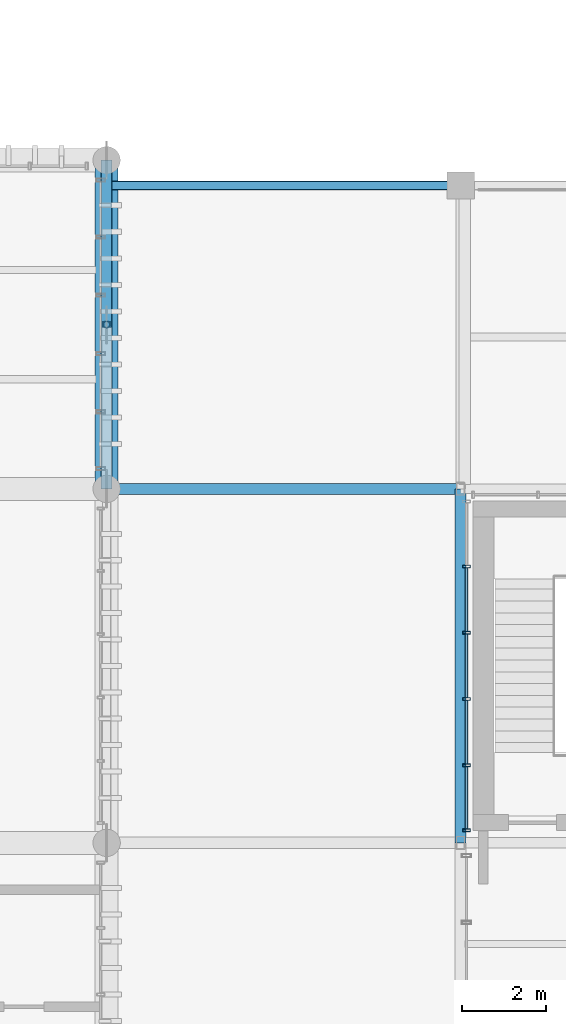
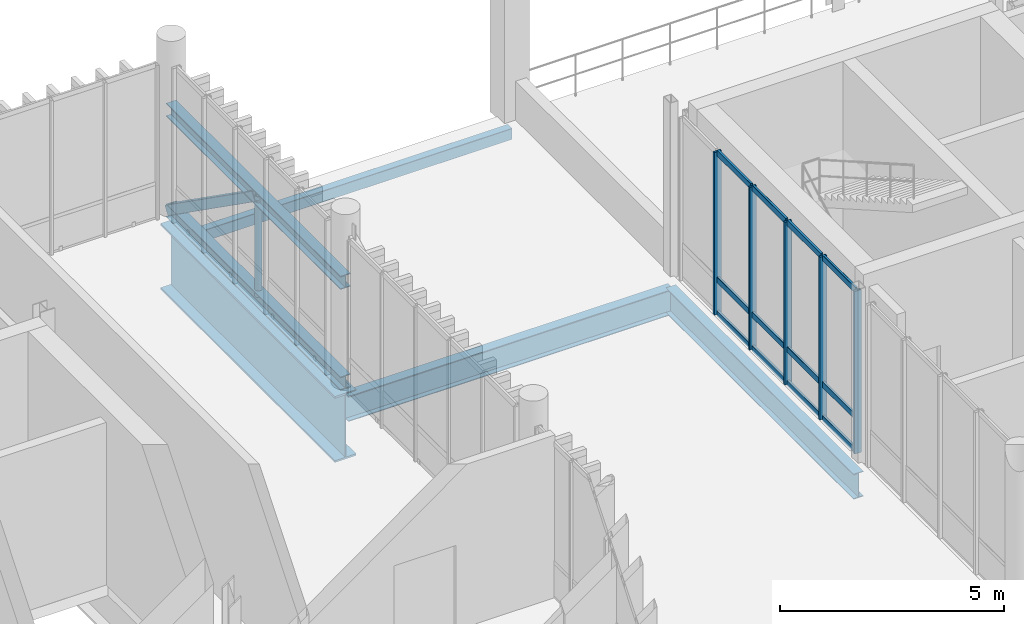
# One storey, part 28 of 81: 21 members, 4 beams, 1 element without a shape of its own.
"""IFC4 building model written with IfcOpenShell, lengths in metres."""

from ifc_helpers import new_model, si_unit, direction, frame, origin_with_axes, origin_2d_with_axis, place, context, subcontext, project, spatial, hollow_rectangle, hollow_circle, i_section, extrude, material, material_profile, profile_set, type_object, element, aggregate, save


model = new_model("IFC4")

# Units and contexts
model_context = context("Model", 3, precision=1e-05, world=origin_with_axes(), true_north=direction((0.0, 1.0)))
body_context = subcontext(model_context, "Body", "Model", "MODEL_VIEW")
ifc_project = project(units=[si_unit("LENGTHUNIT", "METRE"), si_unit("AREAUNIT", "SQUARE_METRE"), si_unit("VOLUMEUNIT", "CUBIC_METRE"), si_unit("PLANEANGLEUNIT", "RADIAN"), si_unit("MASSUNIT", "GRAM", prefix="KILO"), si_unit("THERMODYNAMICTEMPERATUREUNIT", "KELVIN")], contexts=[model_context])

# Site, building, storey
site_placement = place(None, origin_with_axes())
site = spatial("IfcSite", under=ifc_project, at=site_placement, CompositionType="ELEMENT")
building_placement = place(site_placement, origin_with_axes())
building = spatial("IfcBuilding", under=site, at=building_placement, Name="Montbau Bow Law Courts", CompositionType="ELEMENT")
storey_placement = place(building_placement, frame((0.0, 0.0, 24.9), z_axis=(0.0, 0.0, 1.0), x_axis=(1.0, 0.0, 0.0)))
storey = spatial("IfcBuildingStorey", under=building, at=storey_placement, Name="L05", CompositionType="ELEMENT", Elevation=24.9)

# Beams
ifc_material_1 = material(Name="Steel CSA G40.21 Grade 350W (350 MPa)", Category="steel")
ifc_material_profile_1 = material_profile(ifc_material_1, i_section(OverallWidth=0.254, OverallDepth=0.688, WebThickness=0.0131, FlangeThickness=0.0211, at=origin_2d_with_axis()), Name="W690X152", Category="Main", Priority=0)
ifc_profile_set_1 = profile_set([ifc_material_profile_1], Name="Steel CSA G40.21 Grade 350W (350 MPa)")
beam_type_1 = type_object("IfcBeamType", Name="B-FLR-04", PredefinedType="BEAM", material=ifc_profile_set_1)
for number, where, z_axis, x_axis, name in (
    (1, (46.8, 54.6, 24.236), (1.0, 0.0, 0.0), (0.0, 1.0, 0.0), "BM-L05-S0968:bm2_0971"),
    (2, (55.2, 46.2, 24.236), (0.0, 1.0, 0.0), (-1.0, 0.0, 0.0), "BM-L05-S0981:bm2_0984"),
):
    element("IfcBeam", number, at=place(None, frame(where, z_axis=z_axis, x_axis=x_axis)), inside=storey, type_object=beam_type_1, Name=name, PredefinedType="BEAM", context=body_context, shape_type="SweptSolid", body=[
        extrude(i_section(OverallWidth=0.254, OverallDepth=0.688, WebThickness=0.0131, FlangeThickness=0.0211, at=origin_2d_with_axis()), origin_with_axes(), (0.0, 0.0, 1.0), 8.4),
    ])
ifc_material_2 = material(Name="Steel CSA G40.21 Grade 350WT (350 MPa)", Category="steel")
ifc_material_profile_2 = material_profile(ifc_material_2, hollow_rectangle(XDim=0.203, YDim=0.305, WallThickness=0.0127, InnerFilletRadius=0.0254, OuterFilletRadius=0.0127, at=origin_2d_with_axis()), Name="HSS305X203X13", Category="Main", Priority=0)
ifc_profile_set_2 = profile_set([ifc_material_profile_2], Name="Steel CSA G40.21 Grade 350WT (350 MPa)")
beam_type_2 = type_object("IfcBeamType", Name="B-SPN-02", PredefinedType="SPANDREL", material=ifc_profile_set_2)
beam_1_placement = place(None, frame((46.8, 61.8, 24.427), z_axis=(1.0, 0.0, 0.0), x_axis=(0.0, 1.0, 0.0)))
element("IfcBeam", 3, at=beam_1_placement, inside=storey, type_object=beam_type_2, Name="SPN-L05-S0974:bm2_0977", PredefinedType="SPANDREL", context=body_context, shape_type="SweptSolid", body=[
    extrude(hollow_rectangle(XDim=0.203, YDim=0.305, WallThickness=0.0127, InnerFilletRadius=0.0254, OuterFilletRadius=0.0127, at=origin_2d_with_axis()), origin_with_axes(), (0.0, 0.0, 1.0), 8.4),
])
ifc_material_profile_3 = material_profile(ifc_material_2, i_section(OverallWidth=0.55, OverallDepth=1.8, WebThickness=0.022, FlangeThickness=0.05, at=origin_2d_with_axis()), Name="WWF1800X550", Category="Main", Priority=0)
ifc_profile_set_3 = profile_set([ifc_material_profile_3], Name="Steel CSA G40.21 Grade 350WT (350 MPa)")
beam_type_3 = type_object("IfcBeamType", Name="B-TRG-01", PredefinedType="USERDEFINED", material=ifc_profile_set_3)
beam_2_placement = place(None, frame((46.8, 54.6, 23.7), z_axis=(0.0, 1.0, 0.0), x_axis=(-1.0, 0.0, 0.0)))
element("IfcBeam", 4, at=beam_2_placement, inside=storey, type_object=beam_type_3, Name="TRG-L05-S0042:bm2_0045", ObjectType="GIRDER", PredefinedType="USERDEFINED", context=body_context, shape_type="SweptSolid", body=[
    extrude(i_section(OverallWidth=0.55, OverallDepth=1.8, WebThickness=0.022, FlangeThickness=0.05, at=origin_2d_with_axis()), origin_with_axes(), (0.0, 0.0, 1.0), 7.8),
])

# Members
ifc_material_profile_4 = material_profile(ifc_material_1, hollow_rectangle(XDim=0.254, YDim=0.254, WallThickness=0.0127, InnerFilletRadius=0.0254, OuterFilletRadius=0.0127, at=origin_2d_with_axis()), Name="HSS254X254X13", Category="Main", Priority=0)
ifc_profile_set_4 = profile_set([ifc_material_profile_4], Name="Steel CSA G40.21 Grade 350W (350 MPa)")
member_type_1 = type_object("IfcMemberType", Name="M-BRC-01", PredefinedType="BRACE", material=ifc_profile_set_4)
member_1_placement = place(None, frame((46.8, 58.5, 27.65), z_axis=(0.0, 0.817258134, -0.576271761), x_axis=(-1.0, 0.0, 0.0)))
element("IfcMember", 5, at=member_1_placement, inside=storey, type_object=member_type_1, Name="Diagonal brace BRC-L05-012", PredefinedType="BRACE", context=body_context, shape_type="SweptSolid", body=[
    extrude(hollow_rectangle(XDim=0.254, YDim=0.254, WallThickness=0.0127, InnerFilletRadius=0.0254, OuterFilletRadius=0.0127, at=origin_2d_with_axis()), origin_with_axes(), (0.0, 0.0, 1.0), 4.772054),
])
ifc_material_profile_5 = material_profile(ifc_material_2, i_section(OverallWidth=0.257, OverallDepth=0.363, WebThickness=0.013, FlangeThickness=0.0217, at=origin_2d_with_axis()), Name="W360X122", Category="Main", Priority=0)
ifc_profile_set_5 = profile_set([ifc_material_profile_5], Name="Steel CSA G40.21 Grade 350WT (350 MPa)")
member_type_2 = type_object("IfcMemberType", Name="M-CHD-01", PredefinedType="CHORD", material=ifc_profile_set_5)
for number, where, z_axis, x_axis, name in (
    (6, (46.8, 54.6, 24.9), (0.0, 1.0, 0.0), (-1.0, 0.0, 0.0), "CHB-L05-06:chb_0006"),
    (7, (46.8, 54.6, 27.65), (0.0, 1.0, 0.0), (-1.0, 0.0, 0.0), "CHD-L05-06:mbr_0021"),
):
    element("IfcMember", number, at=place(None, frame(where, z_axis=z_axis, x_axis=x_axis)), inside=storey, type_object=member_type_2, Name=name, PredefinedType="CHORD", context=body_context, shape_type="SweptSolid", body=[
        extrude(i_section(OverallWidth=0.257, OverallDepth=0.363, WebThickness=0.013, FlangeThickness=0.0217, at=origin_2d_with_axis()), origin_with_axes(), (0.0, 0.0, 1.0), 7.8),
    ])

# Curtain wall, members
ifc_material_3 = material(Name="Thermally Broken Extruded Aluminium AA 6063-T6", Category="aluminium")
curtain_wall_type = type_object("IfcCurtainWallType", Name="CW-NCK-02", PredefinedType="NOTDEFINED", material=ifc_material_3)
curtain_wall_placement = place(None, frame((55.34, 46.468, 24.9), z_axis=(0.0, 0.0, 1.0), x_axis=(1.0, 0.0, 0.0)))
curtain_wall = element("IfcCurtainWall", 8, at=curtain_wall_placement, inside=storey, type_object=curtain_wall_type, Name="CW-L05-220:cw_0220", PredefinedType="NOTDEFINED")
ifc_material_profile_6 = material_profile(ifc_material_3, hollow_rectangle(XDim=0.065, YDim=0.18, WallThickness=0.005, InnerFilletRadius=0.01, OuterFilletRadius=0.005, at=origin_2d_with_axis()), Name="CWM-180X65", Category="Main", Priority=0)
ifc_profile_set_6 = profile_set([ifc_material_profile_6], Name="Thermally Broken Extruded Aluminium AA 6063-T6")
member_type_3 = type_object("IfcMemberType", Name="M-MUL-02", PredefinedType="MULLION", material=ifc_profile_set_6)
member_2_placement = place(None, frame((55.34, 46.501, 24.9), z_axis=(0.0, 0.0, 1.0), x_axis=(0.0, 1.0, 0.0)))
member_2 = element("IfcMember", 9, at=member_2_placement, type_object=member_type_3, Name="CW-L05-220-M01:cw_0220_M01", PredefinedType="MULLION", context=body_context, shape_type="SweptSolid", body=[
    extrude(hollow_rectangle(XDim=0.065, YDim=0.18, WallThickness=0.005, InnerFilletRadius=0.01, OuterFilletRadius=0.005, at=origin_2d_with_axis()), origin_with_axes(), (0.0, 0.0, 1.0), 4.44),
])
member_3_placement = place(None, frame((55.34, 48.041, 24.9), z_axis=(0.0, 0.0, 1.0), x_axis=(0.0, 1.0, 0.0)))
member_3 = element("IfcMember", 10, at=member_3_placement, type_object=member_type_3, Name="CW-L05-220-M02:cw_0220_M02", PredefinedType="MULLION", context=body_context, shape_type="SweptSolid", body=[
    extrude(hollow_rectangle(XDim=0.065, YDim=0.18, WallThickness=0.005, InnerFilletRadius=0.01, OuterFilletRadius=0.005, at=origin_2d_with_axis()), origin_with_axes(), (0.0, 0.0, 1.0), 4.44),
])
member_4_placement = place(None, frame((55.34, 49.614, 24.9), z_axis=(0.0, 0.0, 1.0), x_axis=(0.0, 1.0, 0.0)))
member_4 = element("IfcMember", 11, at=member_4_placement, type_object=member_type_3, Name="CW-L05-220-M03:cw_0220_M03", PredefinedType="MULLION", context=body_context, shape_type="SweptSolid", body=[
    extrude(hollow_rectangle(XDim=0.065, YDim=0.18, WallThickness=0.005, InnerFilletRadius=0.01, OuterFilletRadius=0.005, at=origin_2d_with_axis()), origin_with_axes(), (0.0, 0.0, 1.0), 4.44),
])
member_5_placement = place(None, frame((55.34, 51.186, 24.9), z_axis=(0.0, 0.0, 1.0), x_axis=(0.0, 1.0, 0.0)))
member_5 = element("IfcMember", 12, at=member_5_placement, type_object=member_type_3, Name="CW-L05-220-M04:cw_0220_M04", PredefinedType="MULLION", context=body_context, shape_type="SweptSolid", body=[
    extrude(hollow_rectangle(XDim=0.065, YDim=0.18, WallThickness=0.005, InnerFilletRadius=0.01, OuterFilletRadius=0.005, at=origin_2d_with_axis()), origin_with_axes(), (0.0, 0.0, 1.0), 4.44),
])
member_6_placement = place(None, frame((55.34, 52.759, 24.9), z_axis=(0.0, 0.0, 1.0), x_axis=(0.0, 1.0, 0.0)))
member_6 = element("IfcMember", 13, at=member_6_placement, type_object=member_type_3, Name="CW-L05-220-M05:cw_0220_M05", PredefinedType="MULLION", context=body_context, shape_type="SweptSolid", body=[
    extrude(hollow_rectangle(XDim=0.065, YDim=0.18, WallThickness=0.005, InnerFilletRadius=0.01, OuterFilletRadius=0.005, at=origin_2d_with_axis()), origin_with_axes(), (0.0, 0.0, 1.0), 4.44),
])

# Member
ifc_material_profile_7 = material_profile(ifc_material_1, hollow_circle(Radius=0.084, WallThickness=0.0095, at=origin_2d_with_axis()), Name="HSS168X9.5", Category="Main", Priority=0)
ifc_profile_set_7 = profile_set([ifc_material_profile_7], Name="Steel CSA G40.21 Grade 350W (350 MPa)")
member_type_4 = type_object("IfcMemberType", Name="M-STR-01", PredefinedType="STRUT", material=ifc_profile_set_7)
member_7_placement = place(None, frame((46.8, 58.5, 24.9), z_axis=(0.0, 0.0, 1.0), x_axis=(1.0, 0.0, 0.0)))
element("IfcMember", 14, at=member_7_placement, inside=storey, type_object=member_type_4, Name="STR-L05-06:mbr_0024", PredefinedType="STRUT", context=body_context, shape_type="SweptSolid", body=[
    extrude(hollow_circle(Radius=0.084, WallThickness=0.0095, at=origin_2d_with_axis()), origin_with_axes(), (0.0, 0.0, 1.0), 2.75),
])

ifc_material_profile_8 = material_profile(ifc_material_3, hollow_rectangle(XDim=0.06, YDim=0.16, WallThickness=0.004, InnerFilletRadius=0.008, OuterFilletRadius=0.004, at=origin_2d_with_axis()), Name="CWT-160X60", Category="Main", Priority=0)
ifc_profile_set_8 = profile_set([ifc_material_profile_8], Name="Thermally Broken Extruded Aluminium AA 6063-T6")
member_type_5 = type_object("IfcMemberType", Name="M-TRN-01", PredefinedType="USERDEFINED", material=ifc_profile_set_8)
member_8_placement = place(None, frame((55.34, 46.536, 24.93), z_axis=(0.0, 1.0, 0.0), x_axis=(-1.0, 0.0, 0.0)))
member_8 = element("IfcMember", 15, at=member_8_placement, type_object=member_type_5, Name="CW-L05-220-T01-1:cw_0220_T01_1", ObjectType="TRANSOM", PredefinedType="USERDEFINED", context=body_context, shape_type="SweptSolid", body=[
    extrude(hollow_rectangle(XDim=0.06, YDim=0.16, WallThickness=0.004, InnerFilletRadius=0.008, OuterFilletRadius=0.004, at=origin_2d_with_axis()), origin_with_axes(), (0.0, 0.0, 1.0), 1.47),
])

member_9_placement = place(None, frame((55.34, 46.536, 25.85), z_axis=(0.0, 1.0, 0.0), x_axis=(-1.0, 0.0, 0.0)))
member_9 = element("IfcMember", 16, at=member_9_placement, type_object=member_type_5, Name="CW-L05-220-T01-2:cw_0220_T01_2", ObjectType="TRANSOM", PredefinedType="USERDEFINED", context=body_context, shape_type="SweptSolid", body=[
    extrude(hollow_rectangle(XDim=0.06, YDim=0.16, WallThickness=0.004, InnerFilletRadius=0.008, OuterFilletRadius=0.004, at=origin_2d_with_axis()), origin_with_axes(), (0.0, 0.0, 1.0), 1.47),
])

member_10_placement = place(None, frame((55.34, 46.536, 29.31), z_axis=(0.0, 1.0, 0.0), x_axis=(-1.0, 0.0, 0.0)))
member_10 = element("IfcMember", 17, at=member_10_placement, type_object=member_type_5, Name="CW-L05-220-T01-3:cw_0220_T01_3", ObjectType="TRANSOM", PredefinedType="USERDEFINED", context=body_context, shape_type="SweptSolid", body=[
    extrude(hollow_rectangle(XDim=0.06, YDim=0.16, WallThickness=0.004, InnerFilletRadius=0.008, OuterFilletRadius=0.004, at=origin_2d_with_axis()), origin_with_axes(), (0.0, 0.0, 1.0), 1.47),
])

member_11_placement = place(None, frame((55.34, 48.075, 24.93), z_axis=(0.0, 1.0, 0.0), x_axis=(-1.0, 0.0, 0.0)))
member_11 = element("IfcMember", 18, at=member_11_placement, type_object=member_type_5, Name="CW-L05-220-T02-1:cw_0220_T02_1", ObjectType="TRANSOM", PredefinedType="USERDEFINED", context=body_context, shape_type="SweptSolid", body=[
    extrude(hollow_rectangle(XDim=0.06, YDim=0.16, WallThickness=0.004, InnerFilletRadius=0.008, OuterFilletRadius=0.004, at=origin_2d_with_axis()), origin_with_axes(), (0.0, 0.0, 1.0), 1.504),
])

member_12_placement = place(None, frame((55.34, 48.075, 25.85), z_axis=(0.0, 1.0, 0.0), x_axis=(-1.0, 0.0, 0.0)))
member_12 = element("IfcMember", 19, at=member_12_placement, type_object=member_type_5, Name="CW-L05-220-T02-2:cw_0220_T02_2", ObjectType="TRANSOM", PredefinedType="USERDEFINED", context=body_context, shape_type="SweptSolid", body=[
    extrude(hollow_rectangle(XDim=0.06, YDim=0.16, WallThickness=0.004, InnerFilletRadius=0.008, OuterFilletRadius=0.004, at=origin_2d_with_axis()), origin_with_axes(), (0.0, 0.0, 1.0), 1.504),
])

member_13_placement = place(None, frame((55.34, 48.075, 29.31), z_axis=(0.0, 1.0, 0.0), x_axis=(-1.0, 0.0, 0.0)))
member_13 = element("IfcMember", 20, at=member_13_placement, type_object=member_type_5, Name="CW-L05-220-T02-3:cw_0220_T02_3", ObjectType="TRANSOM", PredefinedType="USERDEFINED", context=body_context, shape_type="SweptSolid", body=[
    extrude(hollow_rectangle(XDim=0.06, YDim=0.16, WallThickness=0.004, InnerFilletRadius=0.008, OuterFilletRadius=0.004, at=origin_2d_with_axis()), origin_with_axes(), (0.0, 0.0, 1.0), 1.504),
])

member_14_placement = place(None, frame((55.34, 49.648, 24.93), z_axis=(0.0, 1.0, 0.0), x_axis=(-1.0, 0.0, 0.0)))
member_14 = element("IfcMember", 21, at=member_14_placement, type_object=member_type_5, Name="CW-L05-220-T03-1:cw_0220_T03_1", ObjectType="TRANSOM", PredefinedType="USERDEFINED", context=body_context, shape_type="SweptSolid", body=[
    extrude(hollow_rectangle(XDim=0.06, YDim=0.16, WallThickness=0.004, InnerFilletRadius=0.008, OuterFilletRadius=0.004, at=origin_2d_with_axis()), origin_with_axes(), (0.0, 0.0, 1.0), 1.504),
])

member_15_placement = place(None, frame((55.34, 49.648, 25.85), z_axis=(0.0, 1.0, 0.0), x_axis=(-1.0, 0.0, 0.0)))
member_15 = element("IfcMember", 22, at=member_15_placement, type_object=member_type_5, Name="CW-L05-220-T03-2:cw_0220_T03_2", ObjectType="TRANSOM", PredefinedType="USERDEFINED", context=body_context, shape_type="SweptSolid", body=[
    extrude(hollow_rectangle(XDim=0.06, YDim=0.16, WallThickness=0.004, InnerFilletRadius=0.008, OuterFilletRadius=0.004, at=origin_2d_with_axis()), origin_with_axes(), (0.0, 0.0, 1.0), 1.504),
])

member_16_placement = place(None, frame((55.34, 49.648, 29.31), z_axis=(0.0, 1.0, 0.0), x_axis=(-1.0, 0.0, 0.0)))
member_16 = element("IfcMember", 23, at=member_16_placement, type_object=member_type_5, Name="CW-L05-220-T03-3:cw_0220_T03_3", ObjectType="TRANSOM", PredefinedType="USERDEFINED", context=body_context, shape_type="SweptSolid", body=[
    extrude(hollow_rectangle(XDim=0.06, YDim=0.16, WallThickness=0.004, InnerFilletRadius=0.008, OuterFilletRadius=0.004, at=origin_2d_with_axis()), origin_with_axes(), (0.0, 0.0, 1.0), 1.504),
])

member_17_placement = place(None, frame((55.34, 51.22, 24.93), z_axis=(0.0, 1.0, 0.0), x_axis=(-1.0, 0.0, 0.0)))
member_17 = element("IfcMember", 24, at=member_17_placement, type_object=member_type_5, Name="CW-L05-220-T04-1:cw_0220_T04_1", ObjectType="TRANSOM", PredefinedType="USERDEFINED", context=body_context, shape_type="SweptSolid", body=[
    extrude(hollow_rectangle(XDim=0.06, YDim=0.16, WallThickness=0.004, InnerFilletRadius=0.008, OuterFilletRadius=0.004, at=origin_2d_with_axis()), origin_with_axes(), (0.0, 0.0, 1.0), 1.505),
])

member_18_placement = place(None, frame((55.34, 51.22, 25.85), z_axis=(0.0, 1.0, 0.0), x_axis=(-1.0, 0.0, 0.0)))
member_18 = element("IfcMember", 25, at=member_18_placement, type_object=member_type_5, Name="CW-L05-220-T04-2:cw_0220_T04_2", ObjectType="TRANSOM", PredefinedType="USERDEFINED", context=body_context, shape_type="SweptSolid", body=[
    extrude(hollow_rectangle(XDim=0.06, YDim=0.16, WallThickness=0.004, InnerFilletRadius=0.008, OuterFilletRadius=0.004, at=origin_2d_with_axis()), origin_with_axes(), (0.0, 0.0, 1.0), 1.505),
])

member_19_placement = place(None, frame((55.34, 51.22, 29.31), z_axis=(0.0, 1.0, 0.0), x_axis=(-1.0, 0.0, 0.0)))
member_19 = element("IfcMember", 26, at=member_19_placement, type_object=member_type_5, Name="CW-L05-220-T04-3:cw_0220_T04_3", ObjectType="TRANSOM", PredefinedType="USERDEFINED", context=body_context, shape_type="SweptSolid", body=[
    extrude(hollow_rectangle(XDim=0.06, YDim=0.16, WallThickness=0.004, InnerFilletRadius=0.008, OuterFilletRadius=0.004, at=origin_2d_with_axis()), origin_with_axes(), (0.0, 0.0, 1.0), 1.505),
])

aggregate(curtain_wall, [member_2, member_3, member_4, member_5, member_6, member_8, member_9, member_10, member_11, member_12, member_13, member_14, member_15, member_16, member_17, member_18, member_19])

save(model, "model.ifc")
